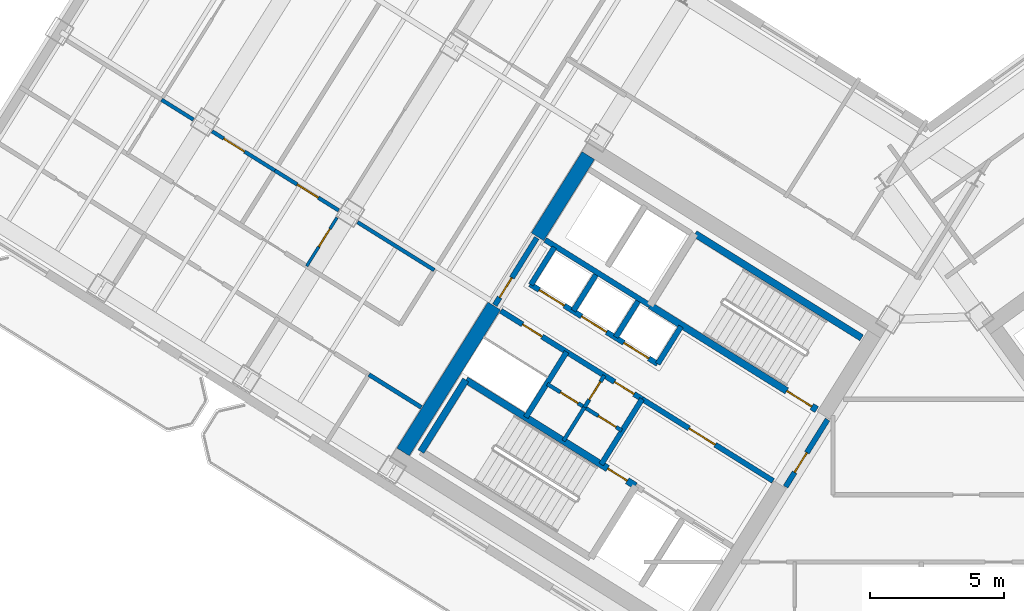
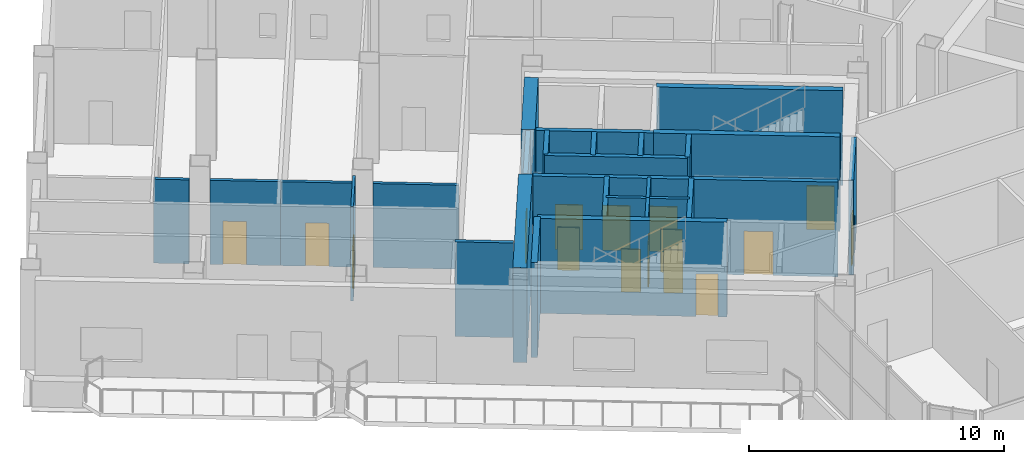
# One storey, part 13 of 21: 27 walls, 16 doors, 16 openings.
"""IFC4 building model written with IfcOpenShell, lengths in metres."""

import ifcopenshell
import ifcopenshell.guid

model = None  # the IFC model being written
_history = None  # IfcOwnerHistory: only IFC2X3 demands one
_inside = {}  # id of a spatial element -> (the spatial element, [elements in it])
_under = {}  # id of a project, library or spatial element -> (it, [spatial elements below it])
_declared = {}  # id of a project -> (the project, [libraries it declares])
_typed = {}  # id of a type object -> (the type object, [elements of that type])
_made_of = {}  # id of a material, layer set ... -> (it, [elements and type objects made of it])


def new_model(schema):
    """Start an empty IFC model of exactly this schema.

    Asked for "IFC4X3", IfcOpenShell would pick the latest addendum, in which some entities
    have other attributes; the version numbers below select the first issue.
    IFC2X3 requires an IfcOwnerHistory on every rooted entity: one is made here for all.
    """
    global model, _history
    if schema == "IFC4X3":
        model = ifcopenshell.file(schema_version=(4, 3, 0, 0))
    else:
        model = ifcopenshell.file(schema=schema)
    _inside.clear()
    _under.clear()
    _declared.clear()
    _typed.clear()
    _made_of.clear()
    _history = None
    if model.schema == "IFC2X3":
        org = make("IfcOrganization", Name="unknown")
        user = make(
            "IfcPersonAndOrganization",
            ThePerson=make("IfcPerson", FamilyName="unknown"),
            TheOrganization=org,
        )
        app = make(
            "IfcApplication",
            ApplicationDeveloper=org,
            Version="unknown",
            ApplicationFullName="unknown",
            ApplicationIdentifier="unknown",
        )
        _history = make(
            "IfcOwnerHistory",
            OwningUser=user,
            OwningApplication=app,
            ChangeAction="ADDED",
            CreationDate=0,
        )
    return model


def make(cls, **values):
    """One entity of the class cls with the attributes given. An attribute that is None is left unset."""
    return model.create_entity(
        cls, **{name: value for name, value in values.items() if value is not None}
    )


def rooted(cls, **values):
    """An entity with a GlobalId (a new one), such as an element, a storey or a relation."""
    return make(cls, GlobalId=ifcopenshell.guid.new(), OwnerHistory=_history, **values)


def si_unit(unit_type, name, prefix=None):
    """IfcSIUnit, for example si_unit("LENGTHUNIT", "METRE", prefix="MILLI")."""
    return make("IfcSIUnit", UnitType=unit_type, Prefix=prefix, Name=name)


def assignment(units):
    """IfcUnitAssignment: the units of a project."""
    return None if units is None else make("IfcUnitAssignment", Units=units)


def point(xyz):
    """IfcCartesianPoint."""
    return None if xyz is None else make("IfcCartesianPoint", Coordinates=xyz)


def direction(xyz):
    """IfcDirection."""
    return None if xyz is None else make("IfcDirection", DirectionRatios=xyz)


def frame(location, z_axis=None, x_axis=None):
    """IfcAxis2Placement3D, a coordinate frame: its origin and axes. An axis left out is left unset."""
    return make(
        "IfcAxis2Placement3D",
        Location=point(location),
        Axis=direction(z_axis),
        RefDirection=direction(x_axis),
    )


def frame_2d(location, x_axis=None):
    """IfcAxis2Placement2D, a coordinate frame in the plane: its origin and x axis."""
    return make(
        "IfcAxis2Placement2D", Location=point(location), RefDirection=direction(x_axis)
    )


def origin():
    """The frame at (0, 0, 0) with its axes left unset."""
    return frame((0.0, 0.0, 0.0))


def place(relative_to, where):
    """IfcLocalPlacement: puts the frame where relative to a parent placement (None: the world)."""
    return make(
        "IfcLocalPlacement", PlacementRelTo=relative_to, RelativePlacement=where
    )


def context(
    kind, dimensions, precision=None, world=None, true_north=None, identifier=None
):
    """IfcGeometricRepresentationContext, for example the 3D "Model" context."""
    return make(
        "IfcGeometricRepresentationContext",
        ContextIdentifier=identifier,
        ContextType=kind,
        CoordinateSpaceDimension=dimensions,
        Precision=precision,
        WorldCoordinateSystem=world,
        TrueNorth=true_north,
    )


def subcontext(parent, identifier, kind, view, scale=None):
    """IfcGeometricRepresentationSubContext, for example "Body" below "Model"."""
    return make(
        "IfcGeometricRepresentationSubContext",
        ContextIdentifier=identifier,
        ContextType=kind,
        ParentContext=parent,
        TargetScale=scale,
        TargetView=view,
    )


def project(units=None, contexts=None):
    """IfcProject with its units and contexts."""
    return rooted(
        "IfcProject",
        Name="project",
        RepresentationContexts=contexts,
        UnitsInContext=assignment(units),
    )


def spatial(cls, under=None, at=None, **own):
    """A site, building, storey or space (cls), placed at a placement, below another one or the project."""
    s = rooted(cls, ObjectPlacement=at, **own)
    if under is not None:
        _under.setdefault(under.id(), (under, []))[1].append(s)
    return s


def profile(cls, at=None, kind="AREA", **sizes):
    """A parametric profile (cls). Its sizes go by their IFC names, for example OverallWidth=200.0."""
    return make(cls, ProfileType=kind, Position=at, **sizes)


def rectangle(**sizes):
    """IfcRectangleProfileDef."""
    return profile("IfcRectangleProfileDef", **sizes)


def extrude(swept, where, along, depth):
    """IfcExtrudedAreaSolid: the profile swept, set in the frame where, extruded along a direction by depth."""
    return make(
        "IfcExtrudedAreaSolid",
        SweptArea=swept,
        Position=where,
        ExtrudedDirection=direction(along),
        Depth=depth,
    )


def shape(context_of_items, identifier, shape_type, items):
    """IfcShapeRepresentation: the items that make up one representation, for example the "Body"."""
    return make(
        "IfcShapeRepresentation",
        ContextOfItems=context_of_items,
        RepresentationIdentifier=identifier,
        RepresentationType=shape_type,
        Items=items,
    )


def source(mapping_origin, context_of_items, identifier, shape_type, items):
    """IfcRepresentationMap: a shape defined once, which mapped items show again and again."""
    return make(
        "IfcRepresentationMap",
        MappingOrigin=mapping_origin,
        MappedRepresentation=shape(context_of_items, identifier, shape_type, items),
    )


def transform(
    local_origin,
    x_axis=None,
    y_axis=None,
    z_axis=None,
    scale=None,
    scale2=None,
    scale3=None,
    uniform=True,
):
    """IfcCartesianTransformationOperator3D, or its non-uniform kind. x_axis, y_axis, z_axis: its Axis1, 2, 3."""
    if uniform:
        return make(
            "IfcCartesianTransformationOperator3D",
            Axis1=direction(x_axis),
            Axis2=direction(y_axis),
            LocalOrigin=point(local_origin),
            Scale=scale,
            Axis3=direction(z_axis),
        )
    return make(
        "IfcCartesianTransformationOperator3DnonUniform",
        Axis1=direction(x_axis),
        Axis2=direction(y_axis),
        LocalOrigin=point(local_origin),
        Scale=scale,
        Axis3=direction(z_axis),
        Scale2=scale2,
        Scale3=scale3,
    )


def mapped(mapping_source, mapping_target):
    """IfcMappedItem: shows the shape of a source again, moved by a transform."""
    return make(
        "IfcMappedItem", MappingSource=mapping_source, MappingTarget=mapping_target
    )


def material(Name=None, Category=None):
    """IfcMaterial."""
    return make("IfcMaterial", Name=Name, Category=Category)


def layer(
    of_material, thickness, ventilated=None, Name=None, Category=None, Priority=None
):
    """IfcMaterialLayer: one layer of a wall or slab, of a material (None: an air gap)."""
    return make(
        "IfcMaterialLayer",
        Material=of_material,
        LayerThickness=thickness,
        IsVentilated=ventilated,
        Name=Name,
        Category=Category,
        Priority=Priority,
    )


def layer_set(layers, Name=None):
    """IfcMaterialLayerSet."""
    return make("IfcMaterialLayerSet", MaterialLayers=layers, LayerSetName=Name)


def made_of(thing, what):
    """Note that an element or type object is made of a material, layer set ...; save() writes the relation."""
    if what is not None:
        _made_of.setdefault(what.id(), (what, []))[1].append(thing)
    return thing


def type_object(cls, material=None, **own):
    """A type object (cls), such as IfcWallType, which elements share."""
    return made_of(rooted(cls, **own), material)


def element(
    cls,
    number,
    at=None,
    inside=None,
    cuts=None,
    type_object=None,
    material=None,
    context=None,
    identifier="Body",
    shape_type=None,
    held_by="IfcProductDefinitionShape",
    body=None,
    shapes=None,
    **own,
):
    """One element of the class cls, such as IfcWall. Its Tag is "e" and its number.

    at: its placement. inside: the storey or other place that contains it. cuts: it is an
    opening in that element (IfcRelVoidsElement). A single representation is given by context,
    identifier, shape_type and body (its items); several are given by shapes. held_by: the class
    of the entity that holds the representations. save() writes the other relations.
    """
    e = rooted(cls, Tag="e%d" % number, ObjectPlacement=at, **own)
    if body is not None:
        shapes = [shape(context, identifier, shape_type, body)]
    if shapes is not None:
        e.Representation = make(held_by, Representations=shapes)
    if inside is not None:
        _inside.setdefault(inside.id(), (inside, []))[1].append(e)
    if cuts is not None:
        rooted(
            "IfcRelVoidsElement", RelatingBuildingElement=cuts, RelatedOpeningElement=e
        )
    if type_object is not None:
        _typed.setdefault(type_object.id(), (type_object, []))[1].append(e)
    return made_of(e, material)


def fill(opening, filler):
    """IfcRelFillsElement: the door or window that sits in an opening."""
    return rooted(
        "IfcRelFillsElement",
        RelatingOpeningElement=opening,
        RelatedBuildingElement=filler,
    )


def aggregate(whole, parts):
    """IfcRelAggregates: a whole, such as a stair, and the parts it consists of."""
    return rooted("IfcRelAggregates", RelatingObject=whole, RelatedObjects=parts)


def save(model, path):
    """Write the relations noted so far, then the file.

    IfcRelAggregates (storeys below a building ...), IfcRelContainedInSpatialStructure (elements
    in a storey), IfcRelDefinesByType, IfcRelAssociatesMaterial and IfcRelDeclares: one each for
    every whole, place, type object, material and project.
    """
    for whole, parts in _under.values():
        aggregate(whole, parts)
    for where, things in _inside.values():
        rooted(
            "IfcRelContainedInSpatialStructure",
            RelatedElements=things,
            RelatingStructure=where,
        )
    for kind, things in _typed.values():
        rooted("IfcRelDefinesByType", RelatedObjects=things, RelatingType=kind)
    for what, things in _made_of.values():
        rooted("IfcRelAssociatesMaterial", RelatedObjects=things, RelatingMaterial=what)
    for by, libraries in _declared.values():
        rooted("IfcRelDeclares", RelatingContext=by, RelatedDefinitions=libraries)
    model.write(path)


model = new_model("IFC4")

# Units and contexts
model_context = context("Model", 3, precision=1e-05, world=origin(), true_north=direction((0.0, 1.0)))
body_context = subcontext(model_context, "Body", "Model", "MODEL_VIEW")
ifc_project = project(units=[si_unit("LENGTHUNIT", "METRE"), si_unit("AREAUNIT", "SQUARE_METRE"), si_unit("VOLUMEUNIT", "CUBIC_METRE"), si_unit("PLANEANGLEUNIT", "RADIAN"), si_unit("MASSUNIT", "GRAM", prefix="KILO")], contexts=[model_context])

# Site, building, storey
site_placement = place(None, origin())
site = spatial("IfcSite", under=ifc_project, at=site_placement, CompositionType="ELEMENT")
building_placement = place(site_placement, origin())
building = spatial("IfcBuilding", under=site, at=building_placement, Name="Tlacorven Tower", CompositionType="ELEMENT")
storey_placement = place(building_placement, frame((0.0, 0.0, 179.39990234375)))
storey = spatial("IfcBuildingStorey", under=building, at=storey_placement, Name="L45", CompositionType="ELEMENT", Elevation=179.39990234375)

# Walls
ifc_material_1 = material(Name="Concrete C60/75", Category="concrete")
ifc_layer_1 = layer(ifc_material_1, 0.550048828125)
ifc_layer_set_1 = layer_set([ifc_layer_1], Name="Concrete C60/75")
wall_type_1 = type_object("IfcWallType", Name="WL-COR-550", PredefinedType="SHEAR", material=ifc_layer_set_1)
wall_1_placement = place(storey_placement, frame((29.517333984375, 30.59423828125, 0.0), z_axis=(0.0, 0.0, 1.0), x_axis=(-0.529906864564, -0.848055844204, 0.0)))
element("IfcWall", 1, at=wall_1_placement, inside=storey, type_object=wall_type_1, Name="L45 W core end wall E2.1", PredefinedType="SHEAR", context=body_context, shape_type="SweptSolid", body=[
    extrude(rectangle(XDim=3.5751953125, YDim=0.550048828125, at=frame_2d((1.78759765625, 0.0))), origin(), (0.0, 0.0, 1.0), 4.550048828125),
])
wall_2_placement = place(storey_placement, frame((26.006591796875, 24.975830078125, 0.0), z_axis=(0.0, 0.0, 1.0), x_axis=(-0.529923795287, -0.848045264823, 0.0)))
element("IfcWall", 2, at=wall_2_placement, inside=storey, type_object=wall_type_1, Name="L45 W core end wall E2.2", PredefinedType="SHEAR", context=body_context, shape_type="SweptSolid", body=[
    extrude(rectangle(XDim=6.425048828125, YDim=0.550048828125, at=frame_2d((3.21240234375, 0.0))), origin(), (0.0, 0.0, 1.0), 4.550048828125),
])
ifc_material_2 = material(Name="Gypsum plasterboard acoustic partition", Category="gypsum")
ifc_layer_2 = layer(ifc_material_2, 0.159912109375)
ifc_layer_set_2 = layer_set([ifc_layer_2], Name="Gypsum plasterboard acoustic partition")
wall_type_2 = type_object("IfcWallType", Name="WL-DEM-160", PredefinedType="PARTITIONING", material=ifc_layer_set_2)
wall_3_placement = place(storey_placement, frame((23.286376953125, 21.1923828125, 0.0), z_axis=(0.0, 0.0, 1.0), x_axis=(-0.848028015797, 0.529951398172, 0.0)))
element("IfcWall", 3, at=wall_3_placement, inside=storey, type_object=wall_type_2, Name="L45 partition 46", PredefinedType="PARTITIONING", context=body_context, shape_type="SweptSolid", body=[
    extrude(rectangle(XDim=2.30810546875, YDim=0.159912109375, at=frame_2d((1.154052734375, 0.0))), origin(), (0.0, 0.0, 1.0), 4.5400390625),
])

# Wall, opening, door
ifc_material_3 = material(Name="Gypsum plasterboard partition", Category="gypsum")
ifc_layer_3 = layer(ifc_material_3, 0.110107421875)
ifc_layer_set_3 = layer_set([ifc_layer_3], Name="Gypsum plasterboard partition")
wall_type_3 = type_object("IfcWallType", Name="WL-INT-110", PredefinedType="PARTITIONING", material=ifc_layer_set_3)
wall_4_placement = place(storey_placement, frame((20.135498046875, 28.276611328125, 0.0), z_axis=(0.0, 0.0, 1.0), x_axis=(-0.529844966244, -0.848094518167, 0.0)))
wall_4 = element("IfcWall", 4, at=wall_4_placement, inside=storey, type_object=wall_type_3, Name="L45 partition 54", PredefinedType="PARTITIONING", context=body_context, shape_type="SweptSolid", body=[
    extrude(rectangle(XDim=2.137939453125, YDim=0.110107421875, at=frame_2d((1.06884765625, 0.0))), origin(), (0.0, 0.0, 1.0), 4.5400390625),
])
opening_1_placement = place(wall_4_placement, frame((0.498046875, 0.0, 0.0)))
opening_1 = element("IfcOpeningElement", 5, at=opening_1_placement, cuts=wall_4, Name="Opening D22", PredefinedType="OPENING", context=body_context, shape_type="SweptSolid", body=[
    extrude(rectangle(XDim=0.780029296875, YDim=2.050048828125, at=frame_2d((0.39013671875, 1.02490234375))), frame((0.0, 0.06494140625, 0.0), z_axis=(0.0, -1.0, 0.0), x_axis=(1.0, 0.0, 0.0)), (0.0, 0.0, 1.0), 0.130126953125),
])
ifc_material_4 = material(Name="Powder-coated aluminium and timber door", Category="wood")
door_type_1 = type_object("IfcDoorType", Name="DR-INT-WET-0780", OperationType="NOTDEFINED", PredefinedType="DOOR", material=ifc_material_4)
shared_shape_1 = source(origin(), body_context, "Body", "SweptSolid", [
    extrude(rectangle(XDim=0.780029296875, YDim=2.050048828125, at=frame_2d((0.39013671875, 1.02490234375))), frame((0.0, 0.02490234375, 0.0), z_axis=(0.0, -1.0, 0.0), x_axis=(1.0, 0.0, 0.0)), (0.0, 0.0, 1.0), 0.050048828125),
])
door_1_placement = place(opening_1_placement, origin())
door_1 = element("IfcDoor", 6, at=door_1_placement, inside=storey, type_object=door_type_1, Name="L45 door 029", OperationType="SINGLE_SWING_RIGHT", OverallHeight=2.050048828125, OverallWidth=0.780029296875, PredefinedType="DOOR", context=body_context, shape_type="MappedRepresentation", body=[
    mapped(shared_shape_1, transform((0.0, 0.0, 0.0), scale=1.0)),
])
fill(opening_1, door_1)

ifc_material_5 = material(Name="Moisture-resistant gypsum plumbing wall", Category="gypsum")
ifc_layer_4 = layer(ifc_material_5, 0.139892578125)
ifc_layer_set_4 = layer_set([ifc_layer_4], Name="Moisture-resistant gypsum plumbing wall")
wall_type_4 = type_object("IfcWallType", Name="WL-PLM-140", PredefinedType="PLUMBINGWALL", material=ifc_layer_set_4)
wall_5_placement = place(storey_placement, frame((30.117431640625, 22.383544921875, 0.0), z_axis=(0.0, 0.0, 1.0), x_axis=(-0.529951914384, -0.848027693204, 0.0)))
wall_5 = element("IfcWall", 7, at=wall_5_placement, inside=storey, type_object=wall_type_4, Name="L45 partition 23", PredefinedType="PLUMBINGWALL", context=body_context, shape_type="SweptSolid", body=[
    extrude(rectangle(XDim=1.39990234375, YDim=0.139892578125, at=frame_2d((0.699951171875, 0.0))), origin(), (0.0, 0.0, 1.0), 4.5400390625),
])
opening_2_placement = place(wall_5_placement, frame((0.280029296875, 0.0, 0.0)))
opening_2 = element("IfcOpeningElement", 8, at=opening_2_placement, cuts=wall_5, Name="Opening D22", PredefinedType="OPENING", context=body_context, shape_type="SweptSolid", body=[
    extrude(rectangle(XDim=0.780029296875, YDim=2.050048828125, at=frame_2d((0.39013671875, 1.02490234375))), frame((0.0, 0.080078125, 0.0), z_axis=(0.0, -1.0, 0.0), x_axis=(1.0, 0.0, 0.0)), (0.0, 0.0, 1.0), 0.159912109375),
])
door_2_placement = place(opening_2_placement, origin())
door_2 = element("IfcDoor", 9, at=door_2_placement, inside=storey, type_object=door_type_1, Name="L45 door 011", OperationType="SINGLE_SWING_RIGHT", OverallHeight=2.050048828125, OverallWidth=0.780029296875, PredefinedType="DOOR", context=body_context, shape_type="MappedRepresentation", body=[
    mapped(shared_shape_1, transform((0.0, 0.0, 0.0), scale=1.0)),
])
fill(opening_2, door_2)

# Wall
wall_6_placement = place(storey_placement, frame((29.37548828125, 21.1962890625, 0.0), z_axis=(0.0, 0.0, 1.0), x_axis=(-0.529865479138, -0.848081702443, 0.0)))
element("IfcWall", 10, at=wall_6_placement, inside=storey, type_object=wall_type_4, Name="L45 partition 24", PredefinedType="PLUMBINGWALL", context=body_context, shape_type="SweptSolid", body=[
    extrude(rectangle(XDim=1.47998046875, YDim=0.139892578125, at=frame_2d((0.739990234375, 0.0))), origin(), (0.0, 0.0, 1.0), 4.5400390625),
])

# Wall, openings, doors
wall_7_placement = place(storey_placement, frame((30.766357421875, 20.3271484375, 0.0), z_axis=(0.0, 0.0, 1.0), x_axis=(-0.848052663127, 0.529911955482, 0.0)))
wall_7 = element("IfcWall", 11, at=wall_7_placement, inside=storey, type_object=wall_type_4, Name="L45 partition 25", PredefinedType="PLUMBINGWALL", context=body_context, shape_type="SweptSolid", body=[
    extrude(rectangle(XDim=3.27978515625, YDim=0.139892578125, at=frame_2d((1.639892578125, 0.0))), origin(), (0.0, 0.0, 1.0), 4.5400390625),
])
opening_3_placement = place(wall_7_placement, frame((0.25, 0.0, 0.0)))
opening_3 = element("IfcOpeningElement", 12, at=opening_3_placement, cuts=wall_7, Name="Opening D22", PredefinedType="OPENING", context=body_context, shape_type="SweptSolid", body=[
    extrude(rectangle(XDim=0.780029296875, YDim=2.050048828125, at=frame_2d((0.39013671875, 1.02490234375))), frame((0.0, 0.080078125, 0.0), z_axis=(0.0, -1.0, 0.0), x_axis=(1.0, 0.0, 0.0)), (0.0, 0.0, 1.0), 0.159912109375),
])
opening_4_placement = place(wall_7_placement, frame((1.919921875, 0.0, 0.0)))
opening_4 = element("IfcOpeningElement", 13, at=opening_4_placement, cuts=wall_7, Name="Opening D22", PredefinedType="OPENING", context=body_context, shape_type="SweptSolid", body=[
    extrude(rectangle(XDim=0.780029296875, YDim=2.050048828125, at=frame_2d((0.39013671875, 1.02490234375))), frame((0.0, 0.080078125, 0.0), z_axis=(0.0, -1.0, 0.0), x_axis=(1.0, 0.0, 0.0)), (0.0, 0.0, 1.0), 0.159912109375),
])
door_3_placement = place(opening_3_placement, origin())
door_3 = element("IfcDoor", 14, at=door_3_placement, inside=storey, type_object=door_type_1, Name="L45 door 012", OperationType="SINGLE_SWING_LEFT", OverallHeight=2.050048828125, OverallWidth=0.780029296875, PredefinedType="DOOR", context=body_context, shape_type="MappedRepresentation", body=[
    mapped(shared_shape_1, transform((0.0, 0.0, 0.0), scale=1.0)),
])
fill(opening_3, door_3)
door_4_placement = place(opening_4_placement, origin())
door_4 = element("IfcDoor", 15, at=door_4_placement, inside=storey, type_object=door_type_1, Name="L45 door 013", OperationType="SINGLE_SWING_RIGHT", OverallHeight=2.050048828125, OverallWidth=0.780029296875, PredefinedType="DOOR", context=body_context, shape_type="MappedRepresentation", body=[
    mapped(shared_shape_1, transform((0.0, 0.0, 0.0), scale=1.0)),
])
fill(opening_4, door_4)

# Wall, opening, door
wall_8_placement = place(storey_placement, frame((20.203125, 28.543212890625, 0.0), z_axis=(0.0, 0.0, 1.0), x_axis=(-0.848066485351, 0.529889834233, 0.0)))
wall_8 = element("IfcWall", 16, at=wall_8_placement, inside=storey, type_object=wall_type_4, Name="L45 partition 56", PredefinedType="PLUMBINGWALL", context=body_context, shape_type="SweptSolid", body=[
    extrude(rectangle(XDim=2.81591796875, YDim=0.139892578125, at=frame_2d((1.407958984375, 0.0))), origin(), (0.0, 0.0, 1.0), 4.025146484375),
])
opening_5_placement = place(wall_8_placement, frame((0.906005859375, 0.0, 0.0)))
opening_5 = element("IfcOpeningElement", 17, at=opening_5_placement, cuts=wall_8, Name="Opening D12", PredefinedType="OPENING", context=body_context, shape_type="SweptSolid", body=[
    extrude(rectangle(XDim=0.919921875, YDim=2.080078125, at=frame_2d((0.4599609375, 1.0400390625))), frame((0.0, 0.080078125, 0.0), z_axis=(0.0, -1.0, 0.0), x_axis=(1.0, 0.0, 0.0)), (0.0, 0.0, 1.0), 0.159912109375),
])
door_type_2 = type_object("IfcDoorType", Name="DR-INT-ROOM-0920", OperationType="NOTDEFINED", PredefinedType="DOOR", material=ifc_material_4)
shared_shape_2 = source(origin(), body_context, "Body", "SweptSolid", [
    extrude(rectangle(XDim=0.919921875, YDim=2.080078125, at=frame_2d((0.4599609375, 1.0400390625))), frame((0.0, 0.02490234375, 0.0), z_axis=(0.0, -1.0, 0.0), x_axis=(1.0, 0.0, 0.0)), (0.0, 0.0, 1.0), 0.050048828125),
])
door_5_placement = place(opening_5_placement, origin())
door_5 = element("IfcDoor", 18, at=door_5_placement, inside=storey, type_object=door_type_2, Name="L45 door 028", OperationType="SINGLE_SWING_RIGHT", OverallHeight=2.080078125, OverallWidth=0.919921875, PredefinedType="DOOR", context=body_context, shape_type="MappedRepresentation", body=[
    mapped(shared_shape_2, transform((0.0, 0.0, 0.0), scale=1.0)),
])
fill(opening_5, door_5)

# Wall
wall_9_placement = place(storey_placement, frame((23.7666015625, 26.31640625, 0.0), z_axis=(0.0, 0.0, 1.0), x_axis=(-0.848055143312, 0.529907986259, 0.0)))
element("IfcWall", 19, at=wall_9_placement, inside=storey, type_object=wall_type_4, Name="L45 partition 57", PredefinedType="PLUMBINGWALL", context=body_context, shape_type="SweptSolid", body=[
    extrude(rectangle(XDim=3.3779296875, YDim=0.139892578125, at=frame_2d((1.68896484375, 0.0))), origin(), (0.0, 0.0, 1.0), 4.025146484375),
])

# Wall, opening, door
wall_10_placement = place(storey_placement, frame((17.81494140625, 30.035400390625, 0.0), z_axis=(0.0, 0.0, 1.0), x_axis=(-0.848033088468, 0.529943280798, 0.0)))
wall_10 = element("IfcWall", 20, at=wall_10_placement, inside=storey, type_object=wall_type_4, Name="L45 partition 61", PredefinedType="PLUMBINGWALL", context=body_context, shape_type="SweptSolid", body=[
    extrude(rectangle(XDim=2.760009765625, YDim=0.139892578125, at=frame_2d((1.3798828125, 0.0))), origin(), (0.0, 0.0, 1.0), 4.025146484375),
])
opening_6_placement = place(wall_10_placement, frame((1.3330078125, 0.0, 0.0)))
opening_6 = element("IfcOpeningElement", 21, at=opening_6_placement, cuts=wall_10, Name="Opening D12", PredefinedType="OPENING", context=body_context, shape_type="SweptSolid", body=[
    extrude(rectangle(XDim=0.919921875, YDim=2.080078125, at=frame_2d((0.4599609375, 1.0400390625))), frame((0.0, 0.080078125, 0.0), z_axis=(0.0, -1.0, 0.0), x_axis=(1.0, 0.0, 0.0)), (0.0, 0.0, 1.0), 0.159912109375),
])
door_6_placement = place(opening_6_placement, origin())
door_6 = element("IfcDoor", 22, at=door_6_placement, inside=storey, type_object=door_type_2, Name="L45 door 034", OperationType="SINGLE_SWING_LEFT", OverallHeight=2.080078125, OverallWidth=0.919921875, PredefinedType="DOOR", context=body_context, shape_type="MappedRepresentation", body=[
    mapped(shared_shape_2, transform((0.0, 0.0, 0.0), scale=1.0)),
])
fill(opening_6, door_6)

# Wall
wall_11_placement = place(storey_placement, frame((14.775634765625, 31.9345703125, 0.0), z_axis=(0.0, 0.0, 1.0), x_axis=(-0.847978739052, 0.530030242643, 0.0)))
element("IfcWall", 23, at=wall_11_placement, inside=storey, type_object=wall_type_4, Name="L45 partition 61", PredefinedType="PLUMBINGWALL", context=body_context, shape_type="SweptSolid", body=[
    extrude(rectangle(XDim=1.402099609375, YDim=0.139892578125, at=frame_2d((0.701171875, 0.0))), origin(), (0.0, 0.0, 1.0), 4.025146484375),
])

# Wall, opening, door
ifc_material_6 = material(Name="Concrete C40/50", Category="concrete")
ifc_layer_5 = layer(ifc_material_6, 0.199951171875)
ifc_layer_set_5 = layer_set([ifc_layer_5], Name="Concrete C40/50")
wall_type_5 = type_object("IfcWallType", Name="WL-SHF-200", PredefinedType="STANDARD", material=ifc_layer_set_5)
wall_12_placement = place(storey_placement, frame((36.416748046875, 18.447265625, 0.0), z_axis=(0.0, 0.0, 1.0), x_axis=(-0.848064879198, 0.529892404805, 0.0)))
wall_12 = element("IfcWall", 24, at=wall_12_placement, inside=storey, type_object=wall_type_5, Name="L45 Core W Smoke Lobby Wall", PredefinedType="STANDARD", context=body_context, shape_type="SweptSolid", body=[
    extrude(rectangle(XDim=5.76806640625, YDim=0.199951171875, at=frame_2d((2.884033203125, 0.0))), origin(), (0.0, 0.0, 1.0), 4.5400390625),
])
opening_7_placement = place(wall_12_placement, frame((2.548095703125, 0.0, 0.0)))
opening_7 = element("IfcOpeningElement", 25, at=opening_7_placement, cuts=wall_12, Name="Opening D09", PredefinedType="OPENING", context=body_context, shape_type="SweptSolid", body=[
    extrude(rectangle(XDim=1.14990234375, YDim=2.10009765625, at=frame_2d((0.574951171875, 1.050048828125))), frame((0.0, 0.10986328125, 0.0), z_axis=(0.0, -1.0, 0.0), x_axis=(1.0, 0.0, 0.0)), (0.0, 0.0, 1.0), 0.219970703125),
])
ifc_material_7 = material(Name="Fire-rated steel door assembly", Category="steel")
door_type_3 = type_object("IfcDoorType", Name="DR-FFL-FD60-1150", OperationType="NOTDEFINED", PredefinedType="DOOR", material=ifc_material_7)
shared_shape_3 = source(origin(), body_context, "Body", "SweptSolid", [
    extrude(rectangle(XDim=1.14990234375, YDim=2.10009765625, at=frame_2d((0.574951171875, 1.050048828125))), frame((0.0, 0.02490234375, 0.0), z_axis=(0.0, -1.0, 0.0), x_axis=(1.0, 0.0, 0.0)), (0.0, 0.0, 1.0), 0.050048828125),
])
door_7_placement = place(opening_7_placement, origin())
door_7 = element("IfcDoor", 26, at=door_7_placement, inside=storey, type_object=door_type_3, Name="L45 Firefighting Lobby W Fire Door", OperationType="SINGLE_SWING_LEFT", OverallHeight=2.10009765625, OverallWidth=1.14990234375, PredefinedType="DOOR", context=body_context, shape_type="MappedRepresentation", body=[
    mapped(shared_shape_3, transform((0.0, 0.0, 0.0), scale=1.0)),
])
fill(opening_7, door_7)

# Wall
wall_13_placement = place(storey_placement, frame((31.82177734375, 24.99755859375, 0.0), z_axis=(0.0, 0.0, 1.0), x_axis=(-0.848036912365, 0.52993716162, 0.0)))
element("IfcWall", 27, at=wall_13_placement, inside=storey, type_object=wall_type_5, Name="L45 Core W South Lift Shaft Wall", PredefinedType="STANDARD", context=body_context, shape_type="SweptSolid", body=[
    extrude(rectangle(XDim=4.617919921875, YDim=0.199951171875, at=frame_2d((2.30908203125, 0.0))), origin(), (0.0, 0.0, 1.0), 4.5400390625),
])

# Wall, openings, doors
wall_14_placement = place(storey_placement, frame((32.108154296875, 22.81396484375, 0.0), z_axis=(0.0, 0.0, 1.0), x_axis=(-0.848042229521, 0.529928652696, 0.0)))
wall_14 = element("IfcWall", 28, at=wall_14_placement, inside=storey, type_object=wall_type_5, Name="L45 partition 11", PredefinedType="STANDARD", context=body_context, shape_type="SweptSolid", body=[
    extrude(rectangle(XDim=5.6201171875, YDim=0.199951171875, at=frame_2d((2.81005859375, 0.0))), origin(), (0.0, 0.0, 1.0), 4.5400390625),
])
opening_8_placement = place(wall_14_placement, frame((0.389892578125, 0.0, 0.0)))
opening_8 = element("IfcOpeningElement", 29, at=opening_8_placement, cuts=wall_14, Name="Opening LD01", PredefinedType="OPENING", context=body_context, shape_type="SweptSolid", body=[
    extrude(rectangle(XDim=1.10009765625, YDim=2.14990234375, at=frame_2d((0.550048828125, 1.074951171875))), frame((0.0, 0.10986328125, 0.0), z_axis=(0.0, -1.0, 0.0), x_axis=(1.0, 0.0, 0.0)), (0.0, 0.0, 1.0), 0.219970703125),
])
opening_9_placement = place(wall_14_placement, frame((2.25, 0.0, 0.0)))
opening_9 = element("IfcOpeningElement", 30, at=opening_9_placement, cuts=wall_14, Name="Opening LD01", PredefinedType="OPENING", context=body_context, shape_type="SweptSolid", body=[
    extrude(rectangle(XDim=1.10009765625, YDim=2.14990234375, at=frame_2d((0.550048828125, 1.074951171875))), frame((0.0, 0.10986328125, 0.0), z_axis=(0.0, -1.0, 0.0), x_axis=(1.0, 0.0, 0.0)), (0.0, 0.0, 1.0), 0.219970703125),
])
opening_10_placement = place(wall_14_placement, frame((4.110107421875, 0.0, 0.0)))
opening_10 = element("IfcOpeningElement", 31, at=opening_10_placement, cuts=wall_14, Name="Opening LD01", PredefinedType="OPENING", context=body_context, shape_type="SweptSolid", body=[
    extrude(rectangle(XDim=1.10009765625, YDim=2.14990234375, at=frame_2d((0.550048828125, 1.074951171875))), frame((0.0, 0.10986328125, 0.0), z_axis=(0.0, -1.0, 0.0), x_axis=(1.0, 0.0, 0.0)), (0.0, 0.0, 1.0), 0.219970703125),
])
door_type_4 = type_object("IfcDoorType", Name="DR-LFT-SLID-1100", OperationType="DOUBLE_DOOR_SLIDING", PredefinedType="DOOR", material=ifc_material_7)
shared_shape_4 = source(origin(), body_context, "Body", "SweptSolid", [
    extrude(rectangle(XDim=1.10009765625, YDim=2.14990234375, at=frame_2d((0.550048828125, 1.074951171875))), frame((0.0, 0.02490234375, 0.0), z_axis=(0.0, -1.0, 0.0), x_axis=(1.0, 0.0, 0.0)), (0.0, 0.0, 1.0), 0.050048828125),
])
door_8_placement = place(opening_8_placement, origin())
door_8 = element("IfcDoor", 32, at=door_8_placement, inside=storey, type_object=door_type_4, Name="L45 Lift PL-M1 Sliding Landing Door", OperationType="DOUBLE_DOOR_SLIDING", OverallHeight=2.14990234375, OverallWidth=1.10009765625, PredefinedType="DOOR", context=body_context, shape_type="MappedRepresentation", body=[
    mapped(shared_shape_4, transform((0.0, 0.0, 0.0), scale=1.0)),
])
fill(opening_8, door_8)
door_9_placement = place(opening_9_placement, origin())
door_9 = element("IfcDoor", 33, at=door_9_placement, inside=storey, type_object=door_type_4, Name="L45 Lift PL-M2 Sliding Landing Door", OperationType="DOUBLE_DOOR_SLIDING", OverallHeight=2.14990234375, OverallWidth=1.10009765625, PredefinedType="DOOR", context=body_context, shape_type="MappedRepresentation", body=[
    mapped(shared_shape_4, transform((0.0, 0.0, 0.0), scale=1.0)),
])
fill(opening_9, door_9)
door_10_placement = place(opening_10_placement, origin())
door_10 = element("IfcDoor", 34, at=door_10_placement, inside=storey, type_object=door_type_4, Name="L45 Lift PL-M3 Sliding Landing Door", OperationType="DOUBLE_DOOR_SLIDING", OverallHeight=2.14990234375, OverallWidth=1.10009765625, PredefinedType="DOOR", context=body_context, shape_type="MappedRepresentation", body=[
    mapped(shared_shape_4, transform((0.0, 0.0, 0.0), scale=1.0)),
])
fill(opening_10, door_10)

# Walls
wall_15_placement = place(storey_placement, frame((32.982421875, 24.21337890625, 0.0), z_axis=(0.0, 0.0, 1.0), x_axis=(-0.529839334948, -0.84809803628, 0.0)))
element("IfcWall", 35, at=wall_15_placement, inside=storey, type_object=wall_type_5, Name="L45 partition 12", PredefinedType="STANDARD", context=body_context, shape_type="SweptSolid", body=[
    extrude(rectangle(XDim=1.650146484375, YDim=0.199951171875, at=frame_2d((0.8251953125, 0.0))), origin(), (0.0, 0.0, 1.0), 4.5400390625),
])
wall_16_placement = place(storey_placement, frame((28.250244140625, 27.170166015625, 0.0), z_axis=(0.0, 0.0, 1.0), x_axis=(-0.529905827651, -0.848056492117, 0.0)))
element("IfcWall", 36, at=wall_16_placement, inside=storey, type_object=wall_type_5, Name="L45 partition 13", PredefinedType="STANDARD", context=body_context, shape_type="SweptSolid", body=[
    extrude(rectangle(XDim=1.64990234375, YDim=0.199951171875, at=frame_2d((0.824951171875, 0.0))), origin(), (0.0, 0.0, 1.0), 4.5400390625),
])
for number, where, z_axis, x_axis, name in (
    (37, (31.378662109375, 25.156494140625, 0.0), (0.0, 0.0, 1.0), (-0.529998940003, -0.847998304005, 0.0), "L45 partition 18"),
    (38, (29.80126953125, 26.14208984375, 0.0), (0.0, 0.0, 1.0), (-0.529998940003, -0.847998304005, 0.0), "L45 partition 19"),
):
    element("IfcWall", number, at=place(storey_placement, frame(where, z_axis=z_axis, x_axis=x_axis)), inside=storey, type_object=wall_type_5, Name=name, PredefinedType="STANDARD", context=body_context, shape_type="SweptSolid", body=[
        extrude(rectangle(XDim=1.580078125, YDim=0.199951171875, at=frame_2d((0.7900390625, 0.0))), origin(), (0.0, 0.0, 1.0), 4.5400390625),
    ])
for number, where, z_axis, x_axis, name in (
    (39, (31.525146484375, 21.503662109375, 0.0), (0.0, 0.0, 1.0), (-0.529907497854, -0.848055448493, 0.0), "L45 partition 20"),
    (40, (28.709716796875, 23.26318359375, 0.0), (0.0, 0.0, 1.0), (-0.529907497854, -0.848055448493, 0.0), "L45 partition 21"),
):
    element("IfcWall", number, at=place(storey_placement, frame(where, z_axis=z_axis, x_axis=x_axis)), inside=storey, type_object=wall_type_5, Name=name, PredefinedType="STANDARD", context=body_context, shape_type="SweptSolid", body=[
        extrude(rectangle(XDim=2.8798828125, YDim=0.199951171875, at=frame_2d((1.43994140625, 0.0))), origin(), (0.0, 0.0, 1.0), 4.5400390625),
    ])

# Wall, openings, doors
wall_17_placement = place(storey_placement, frame((31.525146484375, 21.503662109375, 0.0), z_axis=(0.0, 0.0, 1.0), x_axis=(-0.848040211232, 0.529931882541, 0.0)))
wall_17 = element("IfcWall", 41, at=wall_17_placement, inside=storey, type_object=wall_type_5, Name="L45 Core W North Service Wall", PredefinedType="STANDARD", context=body_context, shape_type="SweptSolid", body=[
    extrude(rectangle(XDim=6.218017578125, YDim=0.199951171875, at=frame_2d((3.10888671875, 0.0))), origin(), (0.0, 0.0, 1.0), 4.5400390625),
])
opening_11_placement = place(wall_17_placement, frame((4.39990234375, 0.0, 0.0)))
opening_11 = element("IfcOpeningElement", 42, at=opening_11_placement, cuts=wall_17, Name="Opening D19", PredefinedType="OPENING", context=body_context, shape_type="SweptSolid", body=[
    extrude(rectangle(XDim=0.860107421875, YDim=2.050048828125, at=frame_2d((0.43017578125, 1.02490234375))), frame((0.0, 0.10986328125, 0.0), z_axis=(0.0, -1.0, 0.0), x_axis=(1.0, 0.0, 0.0)), (0.0, 0.0, 1.0), 0.219970703125),
])
opening_12_placement = place(wall_17_placement, frame((0.35009765625, 0.0, 0.0)))
opening_12 = element("IfcOpeningElement", 43, at=opening_12_placement, cuts=wall_17, Name="Opening D19", PredefinedType="OPENING", context=body_context, shape_type="SweptSolid", body=[
    extrude(rectangle(XDim=0.860107421875, YDim=2.050048828125, at=frame_2d((0.43017578125, 1.02490234375))), frame((0.0, 0.10986328125, 0.0), z_axis=(0.0, -1.0, 0.0), x_axis=(1.0, 0.0, 0.0)), (0.0, 0.0, 1.0), 0.219970703125),
])
door_type_5 = type_object("IfcDoorType", Name="DR-RSR-FD60-0860", OperationType="NOTDEFINED", PredefinedType="DOOR", material=ifc_material_7)
shared_shape_5 = source(origin(), body_context, "Body", "SweptSolid", [
    extrude(rectangle(XDim=0.860107421875, YDim=2.050048828125, at=frame_2d((0.43017578125, 1.02490234375))), frame((0.0, 0.02490234375, 0.0), z_axis=(0.0, -1.0, 0.0), x_axis=(1.0, 0.0, 0.0)), (0.0, 0.0, 1.0), 0.050048828125),
])
door_11_placement = place(opening_11_placement, frame((0.860107421875, 0.0, 0.0), z_axis=(0.0, 0.0, 1.0), x_axis=(-1.0, 0.0, 0.0)))
door_11 = element("IfcDoor", 44, at=door_11_placement, inside=storey, type_object=door_type_5, Name="L45 Electrical Riser Access Door W", OperationType="SINGLE_SWING_RIGHT", OverallHeight=2.050048828125, OverallWidth=0.860107421875, PredefinedType="DOOR", context=body_context, shape_type="MappedRepresentation", body=[
    mapped(shared_shape_5, transform((0.0, 0.0, 0.0), scale=1.0)),
])
fill(opening_11, door_11)
door_12_placement = place(opening_12_placement, frame((0.860107421875, 0.0, 0.0), z_axis=(0.0, 0.0, 1.0), x_axis=(-1.0, 0.0, 0.0)))
door_12 = element("IfcDoor", 45, at=door_12_placement, inside=storey, type_object=door_type_5, Name="L45 Cleaning Room Access Door W", OperationType="SINGLE_SWING_LEFT", OverallHeight=2.050048828125, OverallWidth=0.860107421875, PredefinedType="DOOR", context=body_context, shape_type="MappedRepresentation", body=[
    mapped(shared_shape_5, transform((0.0, 0.0, 0.0), scale=1.0)),
])
fill(opening_12, door_12)

# Wall, opening, door
wall_18_placement = place(storey_placement, frame((27.59619140625, 27.52001953125, 0.0), z_axis=(0.0, 0.0, 1.0), x_axis=(-0.529865479138, -0.848081702443, 0.0)))
wall_18 = element("IfcWall", 46, at=wall_18_placement, inside=storey, type_object=wall_type_5, Name="L45 partition 44", PredefinedType="STANDARD", context=body_context, shape_type="SweptSolid", body=[
    extrude(rectangle(XDim=2.9599609375, YDim=0.199951171875, at=frame_2d((1.47998046875, 0.0))), origin(), (0.0, 0.0, 1.0), 4.5400390625),
])
opening_13_placement = place(wall_18_placement, frame((1.760009765625, 0.0, 0.0)))
opening_13 = element("IfcOpeningElement", 47, at=opening_13_placement, cuts=wall_18, Name="Opening D19", PredefinedType="OPENING", context=body_context, shape_type="SweptSolid", body=[
    extrude(rectangle(XDim=0.860107421875, YDim=2.050048828125, at=frame_2d((0.43017578125, 1.02490234375))), frame((0.0, 0.10986328125, 0.0), z_axis=(0.0, -1.0, 0.0), x_axis=(1.0, 0.0, 0.0)), (0.0, 0.0, 1.0), 0.219970703125),
])
door_13_placement = place(opening_13_placement, origin())
door_13 = element("IfcDoor", 48, at=door_13_placement, inside=storey, type_object=door_type_5, Name="L45 door 022", OperationType="SINGLE_SWING_LEFT", OverallHeight=2.050048828125, OverallWidth=0.860107421875, PredefinedType="DOOR", context=body_context, shape_type="MappedRepresentation", body=[
    mapped(shared_shape_5, transform((0.0, 0.0, 0.0), scale=1.0)),
])
fill(opening_13, door_13)

wall_19_placement = place(storey_placement, frame((38.451416015625, 20.737060546875, 0.0), z_axis=(0.0, 0.0, 1.0), x_axis=(-0.529924799939, -0.848044637038, 0.0)))
wall_19 = element("IfcWall", 49, at=wall_19_placement, inside=storey, type_object=wall_type_5, Name="L45 partition 69", PredefinedType="STANDARD", context=body_context, shape_type="SweptSolid", body=[
    extrude(rectangle(XDim=2.9599609375, YDim=0.199951171875, at=frame_2d((1.47998046875, 0.0))), origin(), (0.0, 0.0, 1.0), 4.5400390625),
])
opening_14_placement = place(wall_19_placement, frame((1.4599609375, 0.0, 0.0)))
opening_14 = element("IfcOpeningElement", 50, at=opening_14_placement, cuts=wall_19, Name="Opening D19", PredefinedType="OPENING", context=body_context, shape_type="SweptSolid", body=[
    extrude(rectangle(XDim=0.860107421875, YDim=2.050048828125, at=frame_2d((0.43017578125, 1.02490234375))), frame((0.0, 0.10986328125, 0.0), z_axis=(0.0, -1.0, 0.0), x_axis=(1.0, 0.0, 0.0)), (0.0, 0.0, 1.0), 0.219970703125),
])
door_14_placement = place(opening_14_placement, frame((0.860107421875, 0.0, 0.0), z_axis=(0.0, 0.0, 1.0), x_axis=(-1.0, 0.0, 0.0)))
door_14 = element("IfcDoor", 51, at=door_14_placement, inside=storey, type_object=door_type_5, Name="L45 door 042", OperationType="SINGLE_SWING_LEFT", OverallHeight=2.050048828125, OverallWidth=0.860107421875, PredefinedType="DOOR", context=body_context, shape_type="MappedRepresentation", body=[
    mapped(shared_shape_5, transform((0.0, 0.0, 0.0), scale=1.0)),
])
fill(opening_14, door_14)

ifc_material_8 = material(Name="Concrete C50/60", Category="concrete")
ifc_layer_6 = layer(ifc_material_8, 0.260009765625)
ifc_layer_set_6 = layer_set([ifc_layer_6], Name="Concrete C50/60")
wall_type_6 = type_object("IfcWallType", Name="WL-STW-260", PredefinedType="SHEAR", material=ifc_layer_set_6)
wall_20_placement = place(storey_placement, frame((31.279541015625, 18.26123046875, 0.0), z_axis=(0.0, 0.0, 1.0), x_axis=(-0.848051618787, 0.529913626805, 0.0)))
wall_20 = element("IfcWall", 52, at=wall_20_placement, inside=storey, type_object=wall_type_6, Name="L45 Stair W1 Lobby Shear Wall", PredefinedType="SHEAR", context=body_context, shape_type="SweptSolid", body=[
    extrude(rectangle(XDim=7.4599609375, YDim=0.260009765625, at=frame_2d((3.72998046875, 0.0))), origin(), (0.0, 0.0, 1.0), 4.550048828125),
])
opening_15_placement = place(wall_20_placement, frame((0.360107421875, 0.0, 0.0)))
opening_15 = element("IfcOpeningElement", 53, at=opening_15_placement, cuts=wall_20, Name="Opening D19", PredefinedType="OPENING", context=body_context, shape_type="SweptSolid", body=[
    extrude(rectangle(XDim=0.860107421875, YDim=2.050048828125, at=frame_2d((0.43017578125, 1.02490234375))), frame((0.0, 0.14013671875, 0.0), z_axis=(0.0, -1.0, 0.0), x_axis=(1.0, 0.0, 0.0)), (0.0, 0.0, 1.0), 0.280029296875),
])
door_15_placement = place(opening_15_placement, frame((0.860107421875, 0.0, 0.0), z_axis=(0.0, 0.0, 1.0), x_axis=(-1.0, 0.0, 0.0)))
door_15 = element("IfcDoor", 54, at=door_15_placement, inside=storey, type_object=door_type_5, Name="L45 Exit Stair W1 Fire Door", OperationType="SINGLE_SWING_LEFT", OverallHeight=2.050048828125, OverallWidth=0.860107421875, PredefinedType="DOOR", context=body_context, shape_type="MappedRepresentation", body=[
    mapped(shared_shape_5, transform((0.0, 0.0, 0.0), scale=1.0)),
])
fill(opening_15, door_15)

# Walls
wall_21_placement = place(storey_placement, frame((24.944580078125, 22.2197265625, 0.0), z_axis=(0.0, 0.0, 1.0), x_axis=(-0.529908658664, -0.84805472316, 0.0)))
element("IfcWall", 55, at=wall_21_placement, inside=storey, type_object=wall_type_6, Name="L45 Stair W1 East Shear Wall", PredefinedType="SHEAR", context=body_context, shape_type="SweptSolid", body=[
    extrude(rectangle(XDim=3.16015625, YDim=0.260009765625, at=frame_2d((1.580078125, 0.0))), origin(), (0.0, 0.0, 1.0), 4.550048828125),
])
wall_22_placement = place(storey_placement, frame((39.720947265625, 23.787841796875, 0.0), z_axis=(0.0, 0.0, 1.0), x_axis=(-0.848054434086, 0.529909121291, 0.0)))
element("IfcWall", 56, at=wall_22_placement, inside=storey, type_object=wall_type_6, Name="L45 Stair W2 Far Shear Wall", PredefinedType="SHEAR", context=body_context, shape_type="SweptSolid", body=[
    extrude(rectangle(XDim=7.330078125, YDim=0.260009765625, at=frame_2d((3.6650390625, 0.0))), origin(), (0.0, 0.0, 1.0), 4.550048828125),
])

# Wall, opening, door
wall_23_placement = place(storey_placement, frame((38.04638671875, 21.10791015625, 0.0), z_axis=(0.0, 0.0, 1.0), x_axis=(-0.848054434086, 0.529909121291, 0.0)))
wall_23 = element("IfcWall", 57, at=wall_23_placement, inside=storey, type_object=wall_type_6, Name="L45 Stair W2 Lobby Shear Wall", PredefinedType="SHEAR", context=body_context, shape_type="SweptSolid", body=[
    extrude(rectangle(XDim=7.330078125, YDim=0.260009765625, at=frame_2d((3.6650390625, 0.0))), origin(), (0.0, 0.0, 1.0), 4.550048828125),
])
opening_16_placement = place(wall_23_placement, frame((0.219970703125, 0.0, 0.0)))
opening_16 = element("IfcOpeningElement", 58, at=opening_16_placement, cuts=wall_23, Name="Opening D07", PredefinedType="OPENING", context=body_context, shape_type="SweptSolid", body=[
    extrude(rectangle(XDim=1.10009765625, YDim=2.10009765625, at=frame_2d((0.550048828125, 1.050048828125))), frame((0.0, 0.14013671875, 0.0), z_axis=(0.0, -1.0, 0.0), x_axis=(1.0, 0.0, 0.0)), (0.0, 0.0, 1.0), 0.280029296875),
])
door_type_6 = type_object("IfcDoorType", Name="DR-STR-FD90-1100", OperationType="NOTDEFINED", PredefinedType="DOOR", material=ifc_material_7)
shared_shape_6 = source(origin(), body_context, "Body", "SweptSolid", [
    extrude(rectangle(XDim=1.10009765625, YDim=2.10009765625, at=frame_2d((0.550048828125, 1.050048828125))), frame((0.0, 0.02490234375, 0.0), z_axis=(0.0, -1.0, 0.0), x_axis=(1.0, 0.0, 0.0)), (0.0, 0.0, 1.0), 0.050048828125),
])
door_16_placement = place(opening_16_placement, origin())
door_16 = element("IfcDoor", 59, at=door_16_placement, inside=storey, type_object=door_type_6, Name="L45 Exit Stair W2 Fire Door", OperationType="SINGLE_SWING_RIGHT", OverallHeight=2.10009765625, OverallWidth=1.10009765625, PredefinedType="DOOR", context=body_context, shape_type="MappedRepresentation", body=[
    mapped(shared_shape_6, transform((0.0, 0.0, 0.0), scale=1.0)),
])
fill(opening_16, door_16)

save(model, "model.ifc")
